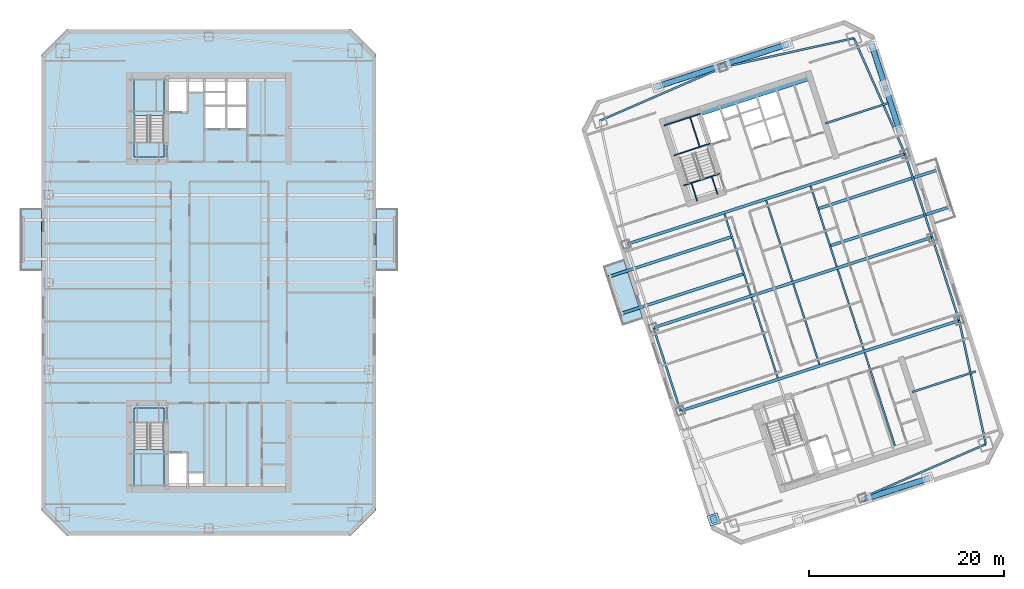
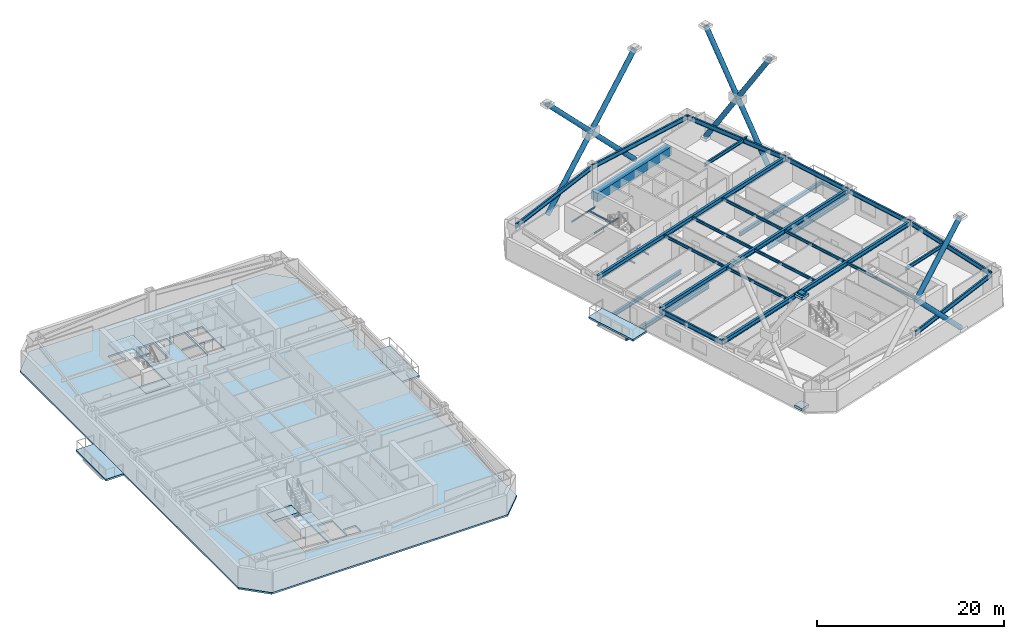
# One storey, part 4 of 17: 32 beams, 10 members, 8 slabs, 3 plates, 2 elements without a shape of their own.
"""IFC4 building model written with IfcOpenShell, lengths in metres."""

from ifc_helpers import new_model, si_unit, direction, frame, origin, origin_2d, place, context, subcontext, project, spatial, polyline, rectangle, hollow_circle, i_section, outline, extrude, material, layer, layer_set, material_profile, profile_set, type_object, element, aggregate, save


model = new_model("IFC4")

# Units and contexts
model_context = context("Model", 3, precision=1e-05, world=origin(), true_north=direction((0.0, 1.0)))
body_context = subcontext(model_context, "Body", "Model", "MODEL_VIEW")
ifc_project = project(units=[si_unit("LENGTHUNIT", "METRE"), si_unit("AREAUNIT", "SQUARE_METRE"), si_unit("VOLUMEUNIT", "CUBIC_METRE"), si_unit("PLANEANGLEUNIT", "RADIAN"), si_unit("MASSUNIT", "GRAM", prefix="KILO")], contexts=[model_context])

# Site, building, storey
site_placement = place(None, origin())
site = spatial("IfcSite", under=ifc_project, at=site_placement, CompositionType="ELEMENT")
building_placement = place(site_placement, origin())
building = spatial("IfcBuilding", under=site, at=building_placement, Name="Qiaolan Cultural Towers", CompositionType="ELEMENT")
storey_placement = place(building_placement, frame((0.0, 0.0, 177.10009765625)))
storey = spatial("IfcBuildingStorey", under=building, at=storey_placement, Name="L47", CompositionType="ELEMENT", Elevation=177.10009765625)

# Beams
ifc_material_1 = material(Name="Steel Q355B", Category="steel")
ifc_material_profile_1 = material_profile(ifc_material_1, i_section(OverallWidth=0.300048828125, OverallDepth=0.488037109375, WebThickness=0.010986328125, FlangeThickness=0.01806640625, at=origin_2d()), Name="HM488x300x11x18")
ifc_profile_set_1 = profile_set([ifc_material_profile_1], Name="Steel Q355B")
beam_type_1 = type_object("IfcBeamType", Name="BM-HM488x300x11x18", PredefinedType="BEAM", material=ifc_profile_set_1)
for number, where, z_axis, x_axis, name in (
    (1, (84.978515625, 34.891845703125, -0.524169921875), (-0.951058928428, -0.309009570496, 0.0), (0.309009570496, -0.951058928428, 0.0), "L47 T2 Tree Balcony Back-Spanned Bracket Beam"),
    (2, (83.742431640625, 38.6962890625, -0.524169921875), (-0.951053553769, -0.309026111943, 0.0), (0.309026111943, -0.951053553769, 0.0), "L47 T2 Tree Balcony Back-Spanned Bracket Beam"),
):
    element("IfcBeam", number, at=place(storey_placement, frame(where, z_axis=z_axis, x_axis=x_axis)), inside=storey, type_object=beam_type_1, Name=name, PredefinedType="BEAM", context=body_context, shape_type="SweptSolid", body=[
        extrude(i_section(OverallWidth=0.300048828125, OverallDepth=0.488037109375, WebThickness=0.010986328125, FlangeThickness=0.01806640625, at=origin_2d()), origin(), (0.0, 0.0, 1.0), 13.349853515625),
    ])
for number, where, z_axis, x_axis, name in (
    (3, (93.823486328125, 37.765869140625, -0.524169921875), (0.951054414178, 0.309023463951, 0.0), (-0.309023463951, 0.951054414178, 0.0), "L47 T2 Tree Balcony Back-Spanned Bracket Beam"),
    (4, (92.58740234375, 41.570068359375, -0.524169921875), (0.951054414178, 0.309023463951, 0.0), (-0.309023463951, 0.951054414178, 0.0), "L47 T2 Tree Balcony Back-Spanned Bracket Beam"),
):
    element("IfcBeam", number, at=place(storey_placement, frame(where, z_axis=z_axis, x_axis=x_axis)), inside=storey, type_object=beam_type_1, Name=name, PredefinedType="BEAM", context=body_context, shape_type="SweptSolid", body=[
        extrude(i_section(OverallWidth=0.300048828125, OverallDepth=0.488037109375, WebThickness=0.010986328125, FlangeThickness=0.01806640625, at=origin_2d()), origin(), (0.0, 0.0, 1.0), 13.0498046875),
    ])
ifc_material_2 = material(Name="Steel Q355B", Category="steel")
ifc_material_profile_2 = material_profile(ifc_material_2, i_section(OverallWidth=0.300048828125, OverallDepth=0.587890625, WebThickness=0.011962890625, FlangeThickness=0.02001953125, at=origin_2d()), Name="HM588x300x12x20")
ifc_profile_set_2 = profile_set([ifc_material_profile_2], Name="Steel Q355B")
beam_type_2 = type_object("IfcBeamType", Name="BM-HM588x300x12x20", PredefinedType="BEAM", material=ifc_profile_set_2)
beam_1_placement = place(storey_placement, frame((78.4677734375, 20.789794921875, 2.89599609375), z_axis=(0.951055226628, 0.309020963535, 0.0), x_axis=(-0.309020963535, 0.951055226628, 0.0)))
element("IfcBeam", 5, at=beam_1_placement, inside=storey, type_object=beam_type_2, Name="L47 T2 Primary Transverse Girder V1", PredefinedType="BEAM", context=body_context, shape_type="SweptSolid", body=[
    extrude(i_section(OverallWidth=0.300048828125, OverallDepth=0.587890625, WebThickness=0.011962890625, FlangeThickness=0.02001953125, at=origin_2d()), origin(), (0.0, 0.0, 1.0), 30.099853515625),
])
beam_2_placement = place(storey_placement, frame((75.6865234375, 29.349365234375, 2.89599609375), z_axis=(0.951058384903, 0.309011243331, 0.0), x_axis=(-0.309011243331, 0.951058384903, 0.0)))
element("IfcBeam", 6, at=beam_2_placement, inside=storey, type_object=beam_type_2, Name="L47 T2 Primary Transverse Girder V2", PredefinedType="BEAM", context=body_context, shape_type="SweptSolid", body=[
    extrude(i_section(OverallWidth=0.300048828125, OverallDepth=0.587890625, WebThickness=0.011962890625, FlangeThickness=0.02001953125, at=origin_2d()), origin(), (0.0, 0.0, 1.0), 30.10009765625),
])
beam_3_placement = place(storey_placement, frame((72.905517578125, 37.90869140625, 2.89599609375), z_axis=(0.951055226628, 0.309020963535, 0.0), x_axis=(-0.309020963535, 0.951055226628, 0.0)))
element("IfcBeam", 7, at=beam_3_placement, inside=storey, type_object=beam_type_2, Name="L47 T2 Primary Transverse Girder V3", PredefinedType="BEAM", context=body_context, shape_type="SweptSolid", body=[
    extrude(i_section(OverallWidth=0.300048828125, OverallDepth=0.587890625, WebThickness=0.011962890625, FlangeThickness=0.02001953125, at=origin_2d()), origin(), (0.0, 0.0, 1.0), 30.099853515625),
])
ifc_material_3 = material(Name="Steel Q355B", Category="steel")
ifc_material_profile_3 = material_profile(ifc_material_3, i_section(OverallWidth=0.175048828125, OverallDepth=0.35009765625, WebThickness=0.007080078125, FlangeThickness=0.010986328125, at=origin_2d()), Name="HN350x175x7x11")
ifc_profile_set_3 = profile_set([ifc_material_profile_3], Name="Steel Q355B")
beam_type_3 = type_object("IfcBeamType", Name="BM-JST-HN350x175x7x11", PredefinedType="JOIST", material=ifc_profile_set_3)
beam_4_placement = place(storey_placement, frame((106.234619140625, 41.798583984375, -0.524169921875), z_axis=(-0.309022586479, 0.951054699292, 0.0), x_axis=(-0.951054699292, -0.309022586479, 0.0)))
element("IfcBeam", 8, at=beam_4_placement, inside=storey, type_object=beam_type_3, Name="L47 T2 Tree Balcony Outer Edge Beam", PredefinedType="JOIST", context=body_context, shape_type="SweptSolid", body=[
    extrude(i_section(OverallWidth=0.175048828125, OverallDepth=0.35009765625, WebThickness=0.007080078125, FlangeThickness=0.010986328125, at=origin_2d()), origin(), (0.0, 0.0, 1.0), 4.0),
])
for number, where, z_axis, x_axis, name in (
    (9, (88.455078125, 24.192626953125, 3.014892578125), (-0.309020714809, 0.951055307445, 0.0), (-0.951055307445, -0.309020714809, 0.0), "L47 T2 Secondary Floor Joist U1-2"),
    (10, (85.673828125, 32.752197265625, 3.014892578125), (-0.309020714809, 0.951055307445, 0.0), (-0.951055307445, -0.309020714809, 0.0), "L47 T2 Secondary Floor Joist U1-3"),
    (11, (92.73486328125, 25.583251953125, 3.014892578125), (-0.309020714809, 0.951055307445, 0.0), (-0.951055307445, -0.309020714809, 0.0), "L47 T2 Secondary Floor Joist U2-2"),
    (12, (89.95361328125, 34.142578125, 3.014892578125), (-0.309020714809, 0.951055307445, 0.0), (-0.951055307445, -0.309020714809, 0.0), "L47 T2 Secondary Floor Joist U2-3"),
):
    element("IfcBeam", number, at=place(storey_placement, frame(where, z_axis=z_axis, x_axis=x_axis)), inside=storey, type_object=beam_type_3, Name=name, PredefinedType="JOIST", context=body_context, shape_type="SweptSolid", body=[
        extrude(i_section(OverallWidth=0.175048828125, OverallDepth=0.35009765625, WebThickness=0.007080078125, FlangeThickness=0.010986328125, at=origin_2d()), origin(), (0.0, 0.0, 1.0), 8.699951171875),
    ])
beam_5_placement = place(storey_placement, frame((100.498291015625, 17.222900390625, 3.014892578125), z_axis=(-0.309025649293, 0.951053704098, 0.0), x_axis=(-0.951053704098, -0.309025649293, 0.0)))
element("IfcBeam", 13, at=beam_5_placement, inside=storey, type_object=beam_type_3, Name="L47 T2 Secondary Floor Joist U3-1", PredefinedType="JOIST", context=body_context, shape_type="SweptSolid", body=[
    extrude(i_section(OverallWidth=0.175048828125, OverallDepth=0.35009765625, WebThickness=0.007080078125, FlangeThickness=0.010986328125, at=origin_2d()), origin(), (0.0, 0.0, 1.0), 10.050048828125),
])
for number, where, z_axis, x_axis, name in (
    (14, (97.2998046875, 27.06640625, 3.014892578125), (-0.309020714809, 0.951055307445, 0.0), (-0.951055307445, -0.309020714809, 0.0), "L47 T2 Secondary Floor Joist U3-2"),
    (15, (94.518798828125, 35.6259765625, 3.014892578125), (-0.309020714809, 0.951055307445, 0.0), (-0.951055307445, -0.309020714809, 0.0), "L47 T2 Secondary Floor Joist U3-3"),
):
    element("IfcBeam", number, at=place(storey_placement, frame(where, z_axis=z_axis, x_axis=x_axis)), inside=storey, type_object=beam_type_3, Name=name, PredefinedType="JOIST", context=body_context, shape_type="SweptSolid", body=[
        extrude(i_section(OverallWidth=0.175048828125, OverallDepth=0.35009765625, WebThickness=0.007080078125, FlangeThickness=0.010986328125, at=origin_2d()), origin(), (0.0, 0.0, 1.0), 8.699951171875),
    ])
ifc_material_4 = material(Name="Steel Q355B", Category="steel")
ifc_material_profile_4 = material_profile(ifc_material_4, i_section(OverallWidth=0.199951171875, OverallDepth=0.449951171875, WebThickness=0.009033203125, FlangeThickness=0.013916015625, at=origin_2d()), Name="HN450x200x9x14")
ifc_profile_set_4 = profile_set([ifc_material_profile_4], Name="Steel Q355B")
beam_type_4 = type_object("IfcBeamType", Name="BM-LNT-HN450x200x9x14", PredefinedType="LINTEL", material=ifc_profile_set_4)
for number, where, z_axis, x_axis, name in (
    (16, (102.279296875, 22.74365234375, 2.96484375), (0.951061565824, 0.30900145309, 0.0), (-0.30900145309, 0.951061565824, 0.0), "L47 T2 Core Flank Tie Lintel ES"),
    (17, (93.31787109375, 50.32421875, 2.96484375), (0.951061565824, 0.30900145309, 0.0), (-0.30900145309, 0.951061565824, 0.0), "L47 T2 Core Flank Tie Lintel EN"),
):
    element("IfcBeam", number, at=place(storey_placement, frame(where, z_axis=z_axis, x_axis=x_axis)), inside=storey, type_object=beam_type_4, Name=name, PredefinedType="LINTEL", context=body_context, shape_type="SweptSolid", body=[
        extrude(i_section(OverallWidth=0.199951171875, OverallDepth=0.449951171875, WebThickness=0.009033203125, FlangeThickness=0.013916015625, at=origin_2d()), origin(), (0.0, 0.0, 1.0), 6.85009765625),
    ])
ifc_material_5 = material(Name="Concrete C50", Category="concrete")
ifc_material_profile_5 = material_profile(ifc_material_5, rectangle(XDim=0.89990234375, YDim=1.10009765625, at=origin_2d()), Name="RC900x1100")
ifc_profile_set_5 = profile_set([ifc_material_profile_5], Name="Concrete C50")
beam_type_5 = type_object("IfcBeamType", Name="BM-RC900x1100", PredefinedType="BEAM", material=ifc_profile_set_5)
beam_6_placement = place(storey_placement, frame((80.427978515625, 51.551025390625, 2.639892578125), z_axis=(0.951056266386, 0.309017763514, 0.0), x_axis=(-0.309017763514, 0.951056266386, 0.0)))
element("IfcBeam", 18, at=beam_6_placement, inside=storey, type_object=beam_type_5, Name="L47 T2 Core Header Girder N", PredefinedType="BEAM", context=body_context, shape_type="SweptSolid", body=[
    extrude(rectangle(XDim=0.89990234375, YDim=1.10009765625, at=origin_2d()), origin(), (0.0, 0.0, 1.0), 11.880126953125),
])
ifc_material_6 = material(Name="Steel Q355B", Category="steel")
ifc_material_profile_6 = material_profile(ifc_material_6, i_section(OverallWidth=0.199951171875, OverallDepth=0.60009765625, WebThickness=0.010986328125, FlangeThickness=0.01708984375, at=origin_2d()), Name="HN600x200x11x17")
ifc_profile_set_6 = profile_set([ifc_material_profile_6], Name="Steel Q355B")
beam_type_6 = type_object("IfcBeamType", Name="BM-SPD-HN600x200x11x17", PredefinedType="SPANDREL", material=ifc_profile_set_6)
beam_7_placement = place(storey_placement, frame((97.1845703125, 11.887939453125, 2.889892578125), z_axis=(0.917117043091, 0.398618024268, 0.0), x_axis=(-0.398618024268, 0.917117043091, 0.0)))
element("IfcBeam", 19, at=beam_7_placement, inside=storey, type_object=beam_type_6, Name="L47 T2 Perimeter Spandrel Beam 2", PredefinedType="SPANDREL", context=body_context, shape_type="SweptSolid", body=[
    extrude(i_section(OverallWidth=0.199951171875, OverallDepth=0.60009765625, WebThickness=0.010986328125, FlangeThickness=0.01708984375, at=origin_2d()), origin(), (0.0, 0.0, 1.0), 13.79345703125),
])
beam_8_placement = place(storey_placement, frame((109.834716796875, 17.38623046875, 2.889892578125), z_axis=(-0.210832241173, 0.977522258612, 0.0), x_axis=(-0.977522258612, -0.210832241173, 0.0)))
element("IfcBeam", 20, at=beam_8_placement, inside=storey, type_object=beam_type_6, Name="L47 T2 Perimeter Spandrel Beam 3", PredefinedType="SPANDREL", context=body_context, shape_type="SweptSolid", body=[
    extrude(i_section(OverallWidth=0.199951171875, OverallDepth=0.60009765625, WebThickness=0.010986328125, FlangeThickness=0.01708984375, at=origin_2d()), origin(), (0.0, 0.0, 1.0), 12.997314453125),
])
beam_9_placement = place(storey_placement, frame((107.094482421875, 30.09130859375, 2.889892578125), z_axis=(-0.309008170129, 0.951059383421, 0.0), x_axis=(-0.951059383421, -0.309008170129, 0.0)))
element("IfcBeam", 21, at=beam_9_placement, inside=storey, type_object=beam_type_6, Name="L47 T2 Perimeter Spandrel Beam 4", PredefinedType="SPANDREL", context=body_context, shape_type="SweptSolid", body=[
    extrude(i_section(OverallWidth=0.199951171875, OverallDepth=0.60009765625, WebThickness=0.010986328125, FlangeThickness=0.01708984375, at=origin_2d()), origin(), (0.0, 0.0, 1.0), 8.999755859375),
])
beam_10_placement = place(storey_placement, frame((104.3134765625, 38.650634765625, 2.889892578125), z_axis=(-0.309024734286, 0.951054001411, 0.0), x_axis=(-0.951054001411, -0.309024734286, 0.0)))
element("IfcBeam", 22, at=beam_10_placement, inside=storey, type_object=beam_type_6, Name="L47 T2 Perimeter Spandrel Beam 5", PredefinedType="SPANDREL", context=body_context, shape_type="SweptSolid", body=[
    extrude(i_section(OverallWidth=0.199951171875, OverallDepth=0.60009765625, WebThickness=0.010986328125, FlangeThickness=0.01708984375, at=origin_2d()), origin(), (0.0, 0.0, 1.0), 9.0),
])
beam_11_placement = place(storey_placement, frame((101.5322265625, 47.210205078125, 2.889892578125), z_axis=(-0.404011070002, 0.914754095545, 0.0), x_axis=(-0.914754095545, -0.404011070002, 0.0)))
element("IfcBeam", 23, at=beam_11_placement, inside=storey, type_object=beam_type_6, Name="L47 T2 Perimeter Spandrel Beam 6", PredefinedType="SPANDREL", context=body_context, shape_type="SweptSolid", body=[
    extrude(i_section(OverallWidth=0.199951171875, OverallDepth=0.60009765625, WebThickness=0.010986328125, FlangeThickness=0.01708984375, at=origin_2d()), origin(), (0.0, 0.0, 1.0), 12.9970703125),
])
beam_12_placement = place(storey_placement, frame((96.28125, 59.099365234375, 2.889892578125), z_axis=(-0.976265293399, -0.216578108094, 0.0), x_axis=(0.216578108094, -0.976265293399, 0.0)))
element("IfcBeam", 24, at=beam_12_placement, inside=storey, type_object=beam_type_6, Name="L47 T2 Perimeter Spandrel Beam 7", PredefinedType="SPANDREL", context=body_context, shape_type="SweptSolid", body=[
    extrude(i_section(OverallWidth=0.199951171875, OverallDepth=0.60009765625, WebThickness=0.010986328125, FlangeThickness=0.01708984375, at=origin_2d()), origin(), (0.0, 0.0, 1.0), 13.793212890625),
])
beam_13_placement = place(storey_placement, frame((82.8154296875, 56.112060546875, 2.889892578125), z_axis=(-0.917117043091, -0.398618024268, 0.0), x_axis=(0.398618024268, -0.917117043091, 0.0)))
element("IfcBeam", 25, at=beam_13_placement, inside=storey, type_object=beam_type_6, Name="L47 T2 Perimeter Spandrel Beam 8", PredefinedType="SPANDREL", context=body_context, shape_type="SweptSolid", body=[
    extrude(i_section(OverallWidth=0.199951171875, OverallDepth=0.60009765625, WebThickness=0.010986328125, FlangeThickness=0.01708984375, at=origin_2d()), origin(), (0.0, 0.0, 1.0), 13.79345703125),
])
beam_14_placement = place(storey_placement, frame((75.6865234375, 29.349365234375, 2.889892578125), z_axis=(0.309024734286, -0.951054001411, 0.0), x_axis=(0.951054001411, 0.309024734286, 0.0)))
element("IfcBeam", 26, at=beam_14_placement, inside=storey, type_object=beam_type_6, Name="L47 T2 Perimeter Spandrel Beam 11", PredefinedType="SPANDREL", context=body_context, shape_type="SweptSolid", body=[
    extrude(i_section(OverallWidth=0.199951171875, OverallDepth=0.60009765625, WebThickness=0.010986328125, FlangeThickness=0.01708984375, at=origin_2d()), origin(), (0.0, 0.0, 1.0), 9.0),
])
ifc_material_7 = material(Name="Steel Q355B", Category="steel")
ifc_material_profile_7 = material_profile(ifc_material_7, i_section(OverallWidth=0.10009765625, OverallDepth=0.199951171875, WebThickness=0.005615234375, FlangeThickness=0.008056640625, at=origin_2d()), Name="HN200x100x5.5x8")
ifc_profile_set_7 = profile_set([ifc_material_profile_7], Name="Steel Q355B")
beam_type_7 = type_object("IfcBeamType", Name="BM-STTRIM-200", PredefinedType="BEAM", material=ifc_profile_set_7)
beam_15_placement = place(storey_placement, frame((78.773193359375, 43.958251953125, -0.460205078125), z_axis=(0.951072048947, 0.3089691857, 0.0), x_axis=(-0.3089691857, 0.951072048947, 0.0)))
element("IfcBeam", 27, at=beam_15_placement, inside=storey, type_object=beam_type_7, Name="L47 ST-E2 Floor Landing Header Beam", PredefinedType="BEAM", context=body_context, shape_type="SweptSolid", body=[
    extrude(i_section(OverallWidth=0.10009765625, OverallDepth=0.199951171875, WebThickness=0.005615234375, FlangeThickness=0.008056640625, at=origin_2d()), origin(), (0.0, 0.0, 1.0), 3.920166015625),
])
for number, where, z_axis, x_axis, name in (
    (28, (80.18115234375, 42.375732421875, -0.460205078125), (-0.308969394428, 0.951071981138, 0.0), (-0.951071981138, -0.308969394428, 0.0), "L47 ST-E2 Floor Landing Stringer 1"),
    (29, (82.2734375, 43.0556640625, -0.460205078125), (-0.308969394428, 0.951071981138, 0.0), (-0.951071981138, -0.308969394428, 0.0), "L47 ST-E2 Floor Landing Stringer 2"),
):
    element("IfcBeam", number, at=place(storey_placement, frame(where, z_axis=z_axis, x_axis=x_axis)), inside=storey, type_object=beam_type_7, Name=name, PredefinedType="BEAM", context=body_context, shape_type="SweptSolid", body=[
        extrude(i_section(OverallWidth=0.10009765625, OverallDepth=0.199951171875, WebThickness=0.005615234375, FlangeThickness=0.008056640625, at=origin_2d()), origin(), (0.0, 0.0, 1.0), 1.93994140625),
    ])
for number, where, z_axis, x_axis, name in (
    (30, (77.769287109375, 47.0478515625, 1.4248046875), (0.951053746643, 0.309025518358, 0.0), (-0.309025518358, 0.951053746643, 0.0), "L47 ST-E2 Stair Landing Support Beam 1-1"),
    (31, (76.770751953125, 50.12109375, 1.4248046875), (0.951072048947, 0.3089691857, 0.0), (-0.3089691857, 0.951072048947, 0.0), "L47 ST-E2 Stair Landing Support Beam 1-2"),
):
    element("IfcBeam", number, at=place(storey_placement, frame(where, z_axis=z_axis, x_axis=x_axis)), inside=storey, type_object=beam_type_7, Name=name, PredefinedType="BEAM", context=body_context, shape_type="SweptSolid", body=[
        extrude(i_section(OverallWidth=0.10009765625, OverallDepth=0.199951171875, WebThickness=0.005615234375, FlangeThickness=0.008056640625, at=origin_2d()), origin(), (0.0, 0.0, 1.0), 3.920166015625),
    ])
beam_16_placement = place(storey_placement, frame((80.44189453125, 47.916259765625, 1.4248046875), z_axis=(-0.309033108495, 0.951051280349, 0.0), x_axis=(-0.951051280349, -0.309033108495, 0.0)))
element("IfcBeam", 32, at=beam_16_placement, inside=storey, type_object=beam_type_7, Name="L47 ST-E2 Stair Landing Trimmer 1", PredefinedType="BEAM", context=body_context, shape_type="SweptSolid", body=[
    extrude(i_section(OverallWidth=0.10009765625, OverallDepth=0.199951171875, WebThickness=0.005615234375, FlangeThickness=0.008056640625, at=origin_2d()), origin(), (0.0, 0.0, 1.0), 3.231201171875),
])

# Members
ifc_material_8 = material(Name="Steel Q355B", Category="steel")
ifc_material_profile_8 = material_profile(ifc_material_8, hollow_circle(Radius=0.300048828125, WallThickness=0.030029296875, at=origin_2d()), Name="CHS600x30")
ifc_profile_set_8 = profile_set([ifc_material_profile_8], Name="Steel Q355B")
member_type = type_object("IfcMemberType", Name="MBR-BRC-CHS600x30", PredefinedType="BRACE", material=ifc_profile_set_8)
for number, where, z_axis, x_axis, name in (
    (33, (100.980712890625, 49.554443359375, 0.14990234375), (-0.166193246914, 0.511497049821, 0.843060242631), (-0.951057728941, -0.309013262209, 0.0), "T2 EAST Perimeter Frame Diagonal E-Z3-M4-D1A"),
    (34, (99.551513671875, 53.953125, 7.39990234375), (-0.166193246914, 0.511497049821, 0.843060242631), (-0.951057728941, -0.309013262209, 0.0), "T2 EAST Perimeter Frame Diagonal E-Z3-M4-D1B"),
    (35, (98.122314453125, 58.351806640625, 0.14990234375), (0.166193246914, -0.511497049821, 0.843060242631), (0.951057728941, 0.309013262209, 0.0), "T2 EAST Perimeter Frame Diagonal E-Z3-M4-D2A"),
    (36, (99.551513671875, 53.953125, 7.39990234375), (0.166193246914, -0.511497049821, 0.843060242631), (0.951057728941, 0.309013262209, 0.0), "T2 EAST Perimeter Frame Diagonal E-Z3-M4-D2B"),
):
    element("IfcMember", number, at=place(storey_placement, frame(where, z_axis=z_axis, x_axis=x_axis)), inside=storey, type_object=member_type, Name=name, PredefinedType="BRACE", context=body_context, shape_type="SweptSolid", body=[
        extrude(hollow_circle(Radius=0.300048828125, WallThickness=0.030029296875, at=origin_2d()), origin(), (0.0, 0.0, 1.0), 8.599609375),
    ])
for number, where, z_axis, x_axis, name in (
    (37, (97.246337890625, 11.69775390625, 7.39990234375), (0.660603302436, 0.214637326619, 0.719398425653), (-0.309009574742, 0.951058927048, 0.0), "T2 SOUTH Perimeter Frame Diagonal E-Z3-M4-D1B"),
    (38, (103.90380859375, 13.86083984375, 0.14990234375), (-0.660603302436, -0.214637326619, 0.719398425653), (0.309009574742, -0.951058927048, 0.0), "T2 SOUTH Perimeter Frame Diagonal E-Z3-M4-D2A"),
    (39, (76.09619140625, 54.13916015625, 0.14990234375), (0.660603302436, 0.214637326619, 0.719398425653), (-0.309009574742, 0.951058927048, 0.0), "T2 NORTH Perimeter Frame Diagonal E-Z3-M4-D1A"),
):
    element("IfcMember", number, at=place(storey_placement, frame(where, z_axis=z_axis, x_axis=x_axis)), inside=storey, type_object=member_type, Name=name, PredefinedType="BRACE", context=body_context, shape_type="SweptSolid", body=[
        extrude(hollow_circle(Radius=0.300048828125, WallThickness=0.030029296875, at=origin_2d()), origin(), (0.0, 0.0, 1.0), 10.077880859375),
    ])
for number, where, z_axis, x_axis, name in (
    (40, (82.753662109375, 56.30224609375, 7.39990234375), (0.660589648575, 0.214640761566, 0.71940993854), (-0.309019824916, 0.951055596592, 0.0), "T2 NORTH Perimeter Frame Diagonal E-Z3-M4-D1B"),
    (41, (89.410888671875, 58.46533203125, 0.14990234375), (-0.660589648575, -0.214640761566, 0.71940993854), (0.309019824916, -0.951055596592, 0.0), "T2 NORTH Perimeter Frame Diagonal E-Z3-M4-D2A"),
):
    element("IfcMember", number, at=place(storey_placement, frame(where, z_axis=z_axis, x_axis=x_axis)), inside=storey, type_object=member_type, Name=name, PredefinedType="BRACE", context=body_context, shape_type="SweptSolid", body=[
        extrude(hollow_circle(Radius=0.300048828125, WallThickness=0.030029296875, at=origin_2d()), origin(), (0.0, 0.0, 1.0), 10.07763671875),
    ])
member_placement = place(storey_placement, frame((82.753662109375, 56.30224609375, 7.39990234375), z_axis=(-0.660603302436, -0.214637326619, 0.719398425653), x_axis=(0.309009574742, -0.951058927048, 0.0)))
element("IfcMember", 42, at=member_placement, inside=storey, type_object=member_type, Name="T2 NORTH Perimeter Frame Diagonal E-Z3-M4-D2B", PredefinedType="BRACE", context=body_context, shape_type="SweptSolid", body=[
    extrude(hollow_circle(Radius=0.300048828125, WallThickness=0.030029296875, at=origin_2d()), origin(), (0.0, 0.0, 1.0), 10.077880859375),
])

# Plates
ifc_material_9 = material(Name="Steel Q355B", Category="steel")
ifc_layer_1 = layer(ifc_material_9, 0.035888671875)
ifc_layer_set_1 = layer_set([ifc_layer_1], Name="Steel Q355B")
plate_type_1 = type_object("IfcPlateType", Name="PL-CONN-36", PredefinedType="USERDEFINED", material=ifc_layer_set_1)
plate_placement = place(storey_placement, frame((81.877685546875, 9.648193359375, 14.27978515625), z_axis=(0.0, 0.0, 1.0), x_axis=(-0.309016961177, 0.951056527082, 0.0)))
element("IfcPlate", 43, at=plate_placement, inside=storey, type_object=plate_type_1, Name="L47 Brace End Connection Gusset Plate GP-02-0549", ObjectType="GUSSET_PLATE", PredefinedType="USERDEFINED", context=body_context, shape_type="SweptSolid", body=[
    extrude(rectangle(XDim=0.739990234375, YDim=0.6201171875, at=origin_2d()), origin(), (0.0, 0.0, 1.0), 0.739990234375),
])
ifc_material_10 = material(Name="Steel Q355B", Category="steel")
ifc_layer_2 = layer(ifc_material_10, 0.030029296875)
ifc_layer_set_2 = layer_set([ifc_layer_2], Name="Steel Q355B")
plate_type_2 = type_object("IfcPlateType", Name="PL-ENDCAP-30", PredefinedType="USERDEFINED", material=ifc_layer_set_2)
for number, where, z_axis, x_axis, name in (
    (44, (81.877685546875, 9.648193359375, -0.025146484375), (0.0, 0.0, 1.0), (-0.309016994375, 0.951056516295, 0.0), "Hollow Brace End Seal Cap Plate CP-01"),
    (45, (81.877685546875, 9.648193359375, 14.474853515625), (0.0, 0.0, 1.0), (-0.309016994375, 0.951056516295, 0.0), "Hollow Brace End Seal Cap Plate CP-01"),
):
    element("IfcPlate", number, at=place(storey_placement, frame(where, z_axis=z_axis, x_axis=x_axis)), inside=storey, type_object=plate_type_2, Name=name, ObjectType="BASE_PLATE", PredefinedType="USERDEFINED", context=body_context, shape_type="SweptSolid", body=[
        extrude(rectangle(XDim=1.10009765625, YDim=1.10009765625, at=origin_2d()), origin(), (0.0, 0.0, 1.0), 0.35009765625),
    ])

# Slabs
ifc_material_11 = material(Name="Concrete C45", Category="concrete")
ifc_layer_3 = layer(ifc_material_11, 0.239990234375)
ifc_layer_set_3 = layer_set([ifc_layer_3], Name="Concrete C45")
slab_type_1 = type_object("IfcSlabType", Name="SL-BAL-240", PredefinedType="FLOOR", material=ifc_layer_set_3)
slab_1_placement = place(storey_placement, frame((0.0, 0.0, -0.239990234375)))
element("IfcSlab", 46, at=slab_1_placement, inside=storey, type_object=slab_type_1, Name="L47 T1 Planted Tree Balcony W", PredefinedType="FLOOR", context=body_context, shape_type="SweptSolid", body=[
    extrude(outline(polyline([(10.60009765625, 35.199951171875), (12.800048828125, 35.199951171875), (12.800048828125, 41.60009765625), (10.60009765625, 41.60009765625), (10.60009765625, 35.199951171875)])), origin(), (0.0, 0.0, 1.0), 0.239990234375),
])
slab_2_placement = place(storey_placement, frame((0.0, 0.0, -0.239990234375)))
element("IfcSlab", 47, at=slab_2_placement, inside=storey, type_object=slab_type_1, Name="L47 T1 Planted Tree Balcony E", PredefinedType="FLOOR", context=body_context, shape_type="SweptSolid", body=[
    extrude(outline(polyline([(47.199951171875, 35.199951171875), (49.39990234375, 35.199951171875), (49.39990234375, 41.60009765625), (47.199951171875, 41.60009765625), (47.199951171875, 35.199951171875)])), origin(), (0.0, 0.0, 1.0), 0.239990234375),
])
slab_3_placement = place(storey_placement, frame((0.0, 0.0, -0.239990234375)))
element("IfcSlab", 48, at=slab_3_placement, inside=storey, type_object=slab_type_1, Name="L47 T2 Planted Tree Balcony W", PredefinedType="FLOOR", context=body_context, shape_type="SweptSolid", body=[
    extrude(outline(polyline([(72.51025390625, 29.578857421875), (74.6025390625, 30.2587890625), (72.624755859375, 36.345458984375), (70.532470703125, 35.665771484375), (72.51025390625, 29.578857421875)])), origin(), (0.0, 0.0, 1.0), 0.239990234375),
])

# Stair, slab
ifc_material_12 = material(Name="Concrete C45", Category="concrete")
stair_type = type_object("IfcStairType", Name="STR-CORE-1500", PredefinedType="HALF_TURN_STAIR", material=ifc_material_12)
stair_1_placement = place(storey_placement, origin())
stair_1 = element("IfcStair", 49, at=stair_1_placement, inside=storey, type_object=stair_type, Name="L47 Smokeproof Exit Stair ST-W1", PredefinedType="HALF_TURN_STAIR")
ifc_material_13 = material(Name="Concrete C45", Category="concrete")
ifc_layer_4 = layer(ifc_material_13, 0.199951171875)
ifc_layer_set_4 = layer_set([ifc_layer_4], Name="Concrete C45")
slab_type_2 = type_object("IfcSlabType", Name="SL-STAIR-LAND", PredefinedType="LANDING", material=ifc_layer_set_4)
slab_4_placement = place(storey_placement, frame((0.0, 0.0, 1.52490234375)))
slab_4 = element("IfcSlab", 50, at=slab_4_placement, type_object=slab_type_2, Name="ST-W1 landing 1", PredefinedType="LANDING", context=body_context, shape_type="SweptSolid", body=[
    extrude(outline(polyline([(22.300048828125, 16.851318359375), (22.300048828125, 13.0), (25.3798828125, 13.0), (25.3798828125, 16.851318359375), (22.300048828125, 16.851318359375)])), origin(), (0.0, 0.0, 1.0), 0.199951171875),
])
aggregate(stair_1, [slab_4])

stair_2_placement = place(storey_placement, origin())
stair_2 = element("IfcStair", 51, at=stair_2_placement, inside=storey, type_object=stair_type, Name="L47 Smokeproof Exit Stair ST-W2", PredefinedType="HALF_TURN_STAIR")
slab_5_placement = place(storey_placement, frame((0.0, 0.0, 1.52490234375)))
slab_5 = element("IfcSlab", 52, at=slab_5_placement, type_object=slab_type_2, Name="ST-W2 landing 1", PredefinedType="LANDING", context=body_context, shape_type="SweptSolid", body=[
    extrude(outline(polyline([(25.3798828125, 51.148681640625), (25.3798828125, 55.0), (22.300048828125, 55.0), (22.300048828125, 51.148681640625), (25.3798828125, 51.148681640625)])), origin(), (0.0, 0.0, 1.0), 0.199951171875),
])
aggregate(stair_2, [slab_5])

# Slabs
ifc_material_14 = material(Name="Concrete C40", Category="concrete")
ifc_layer_5 = layer(ifc_material_14, 0.360107421875)
ifc_layer_set_5 = layer_set([ifc_layer_5], Name="Concrete C40")
slab_type_3 = type_object("IfcSlabType", Name="SL-STFLR-360", PredefinedType="LANDING", material=ifc_layer_set_5)
slab_6_placement = place(storey_placement, frame((0.0, 0.0, -0.360107421875)))
element("IfcSlab", 53, at=slab_6_placement, inside=storey, type_object=slab_type_3, Name="L47 ST-W1 Stair Floor Landing Slab", PredefinedType="LANDING", context=body_context, shape_type="SweptSolid", body=[
    extrude(outline(polyline([(22.302001953125, 21.097900390625), (22.302001953125, 19.548583984375), (25.3779296875, 19.548583984375), (25.3779296875, 21.097900390625), (22.302001953125, 21.097900390625)])), origin(), (0.0, 0.0, 1.0), 0.360107421875),
])
slab_7_placement = place(storey_placement, frame((0.0, 0.0, -0.360107421875)))
element("IfcSlab", 54, at=slab_7_placement, inside=storey, type_object=slab_type_3, Name="L47 ST-W2 Stair Floor Landing Slab", PredefinedType="LANDING", context=body_context, shape_type="SweptSolid", body=[
    extrude(outline(polyline([(25.3779296875, 46.902099609375), (25.3779296875, 48.451416015625), (22.302001953125, 48.451416015625), (22.302001953125, 46.902099609375), (25.3779296875, 46.902099609375)])), origin(), (0.0, 0.0, 1.0), 0.360107421875),
])
ifc_material_15 = material(Name="Concrete C45", Category="concrete")
ifc_layer_6 = layer(ifc_material_15, 0.219970703125)
ifc_layer_set_6 = layer_set([ifc_layer_6], Name="Concrete C45")
slab_type_4 = type_object("IfcSlabType", Name="SL-TYP-220", PredefinedType="FLOOR", material=ifc_layer_set_6)
slab_8_placement = place(storey_placement, frame((0.0, 0.0, -0.22021484375)))
element("IfcSlab", 55, at=slab_8_placement, inside=storey, type_object=slab_type_4, Name="L47 West Tower Floor Slab", PredefinedType="FLOOR", context=body_context, shape_type="SweptSolid", body=[
    extrude(outline(polyline([(15.39990234375, 8.0), (44.60009765625, 8.0), (47.199951171875, 10.60009765625), (47.199951171875, 57.39990234375), (44.60009765625, 60.0), (15.39990234375, 60.0), (12.800048828125, 57.39990234375), (12.800048828125, 10.60009765625), (15.39990234375, 8.0)]), holes=[polyline([(22.300048828125, 21.10009765625), (22.300048828125, 13.0), (25.3798828125, 13.0), (25.3798828125, 21.10009765625), (22.300048828125, 21.10009765625)]), polyline([(25.3798828125, 46.89990234375), (25.3798828125, 55.0), (22.300048828125, 55.0), (22.300048828125, 46.89990234375), (25.3798828125, 46.89990234375)]), polyline([(25.89990234375, 13.199951171875), (27.75, 13.199951171875), (27.75, 16.449951171875), (25.89990234375, 16.449951171875), (25.89990234375, 13.199951171875)]), polyline([(27.93994140625, 13.25), (29.449951171875, 13.25), (29.449951171875, 14.419921875), (27.93994140625, 14.419921875), (27.93994140625, 13.25)]), polyline([(25.89990234375, 51.550048828125), (27.75, 51.550048828125), (27.75, 54.800048828125), (25.89990234375, 54.800048828125), (25.89990234375, 51.550048828125)]), polyline([(27.93994140625, 53.580078125), (29.449951171875, 53.580078125), (29.449951171875, 54.75), (27.93994140625, 54.75), (27.93994140625, 53.580078125)]), polyline([(29.679931640625, 49.820068359375), (31.679931640625, 49.820068359375), (31.679931640625, 52.080078125), (29.679931640625, 52.080078125), (29.679931640625, 49.820068359375)]), polyline([(31.8798828125, 49.820068359375), (33.820068359375, 49.820068359375), (33.820068359375, 52.080078125), (31.8798828125, 52.080078125), (31.8798828125, 49.820068359375)]), polyline([(29.679931640625, 52.27001953125), (31.659912109375, 52.27001953125), (31.659912109375, 54.75), (29.679931640625, 54.75), (29.679931640625, 52.27001953125)]), polyline([(31.8798828125, 52.27001953125), (33.820068359375, 52.27001953125), (33.820068359375, 54.75), (31.8798828125, 54.75), (31.8798828125, 52.27001953125)])]), origin(), (0.0, 0.0, 1.0), 0.22021484375),
])

save(model, "model.ifc")
